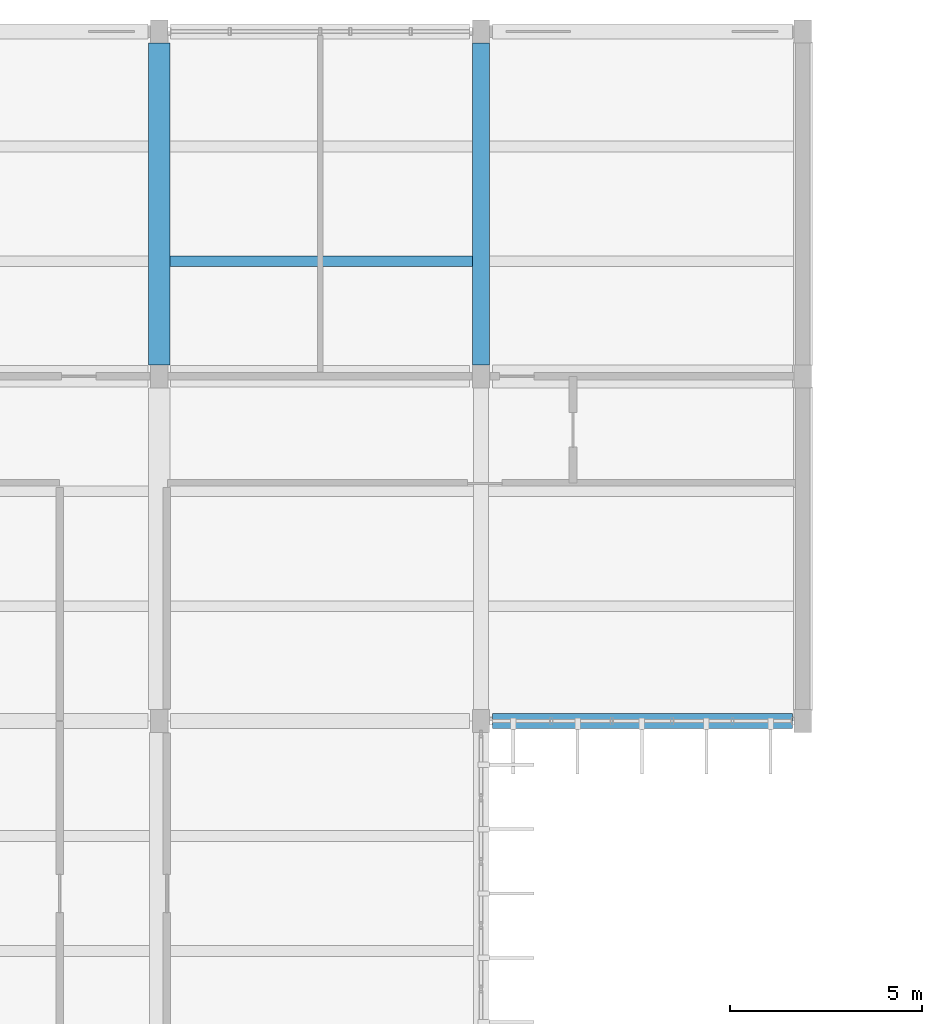
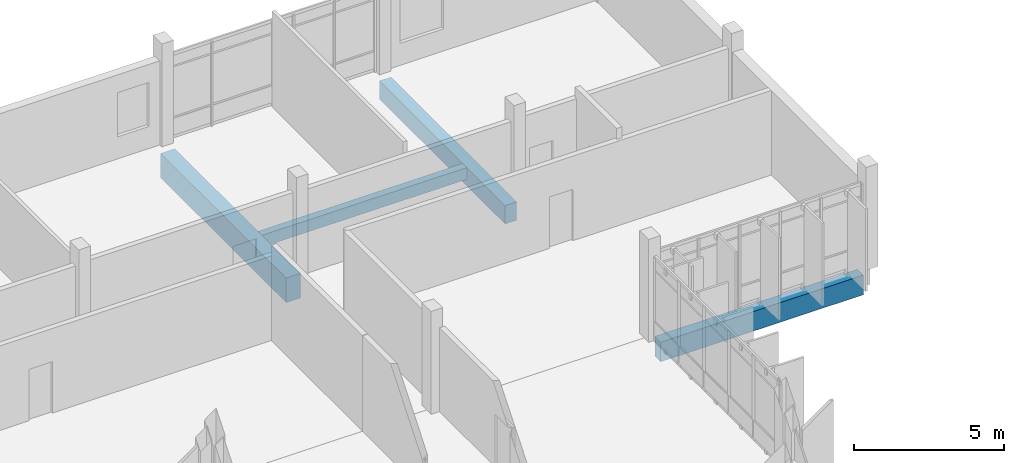
# One storey, part 55 of 107: 4 beams.
"""IFC4 building model written with IfcOpenShell, lengths in metres."""

from ifc_helpers import new_model, si_unit, direction, frame, origin, origin_2d, place, context, subcontext, project, spatial, rectangle, extrude, material, material_profile, profile_set, type_object, element, save


model = new_model("IFC4")

# Units and contexts
model_context = context("Model", 3, precision=1e-05, world=origin(), true_north=direction((0.0, 1.0)))
body_context = subcontext(model_context, "Body", "Model", "MODEL_VIEW")
ifc_project = project(units=[si_unit("LENGTHUNIT", "METRE"), si_unit("AREAUNIT", "SQUARE_METRE"), si_unit("VOLUMEUNIT", "CUBIC_METRE"), si_unit("PLANEANGLEUNIT", "RADIAN"), si_unit("MASSUNIT", "GRAM", prefix="KILO")], contexts=[model_context])

# Site, building, storey
site_placement = place(None, origin())
site = spatial("IfcSite", under=ifc_project, at=site_placement, CompositionType="ELEMENT")
building_placement = place(site_placement, origin())
building = spatial("IfcBuilding", under=site, at=building_placement, Name="Vireocrest Preparatory School", CompositionType="ELEMENT")
storey_placement = place(building_placement, frame((0.0, 0.0, 13.199951171875)))
storey = spatial("IfcBuildingStorey", under=building, at=storey_placement, Name="L03", CompositionType="ELEMENT", Elevation=13.199951171875)

# Beams
ifc_material = material(Name="Concrete 40 MPa", Category="concrete")
ifc_material_profile_1 = material_profile(ifc_material, rectangle(XDim=0.550048828125, YDim=1.0, at=origin_2d()), Name="RC 550x1000")
ifc_profile_set_1 = profile_set([ifc_material_profile_1], Name="Concrete 40 MPa")
beam_type_1 = type_object("IfcBeamType", Name="RC Core Coupling Beam 550x1000", PredefinedType="BEAM", material=ifc_profile_set_1)
beam_1_placement = place(storey_placement, frame((100.800048828125, 104.10009765625, -0.739990234375), z_axis=(0.0, 1.0, 0.0), x_axis=(-1.0, 0.0, 0.0)))
element("IfcBeam", 1, at=beam_1_placement, inside=storey, type_object=beam_type_1, Name="Primary Girder B18 L03-1163", PredefinedType="BEAM", context=body_context, shape_type="SweptSolid", body=[
    extrude(rectangle(XDim=0.550048828125, YDim=1.0, at=origin_2d()), origin(), (0.0, 0.0, 1.0), 8.39990234375),
])
ifc_material_profile_2 = material_profile(ifc_material, rectangle(XDim=0.39990234375, YDim=0.800048828125, at=origin_2d()), Name="RC 400x800")
ifc_profile_set_2 = profile_set([ifc_material_profile_2], Name="Concrete 40 MPa")
beam_type_2 = type_object("IfcBeamType", Name="RC Library Reading Girder 400x800", PredefinedType="BEAM", material=ifc_profile_set_2)
beam_2_placement = place(storey_placement, frame((109.5, 94.800048828125, -0.639892578125), z_axis=(1.0, 0.0, 0.0), x_axis=(0.0, 1.0, 0.0)))
element("IfcBeam", 2, at=beam_2_placement, inside=storey, type_object=beam_type_2, Name="Primary Girder B10 L03-1088", PredefinedType="BEAM", context=body_context, shape_type="SweptSolid", body=[
    extrude(rectangle(XDim=0.39990234375, YDim=0.800048828125, at=origin_2d()), origin(), (0.0, 0.0, 1.0), 7.824951171875),
])
ifc_material_profile_3 = material_profile(ifc_material, rectangle(XDim=0.449951171875, YDim=0.75, at=origin_2d()), Name="RC 450x750")
ifc_profile_set_3 = profile_set([ifc_material_profile_3], Name="Concrete 40 MPa")
beam_type_3 = type_object("IfcBeamType", Name="RC Library Stack Girder 450x750", PredefinedType="BEAM", material=ifc_profile_set_3)
beam_3_placement = place(storey_placement, frame((109.199951171875, 104.10009765625, -0.614990234375), z_axis=(0.0, 1.0, 0.0), x_axis=(-1.0, 0.0, 0.0)))
element("IfcBeam", 3, at=beam_3_placement, inside=storey, type_object=beam_type_3, Name="Primary Girder B11 L03-1174", PredefinedType="BEAM", context=body_context, shape_type="SweptSolid", body=[
    extrude(rectangle(XDim=0.449951171875, YDim=0.75, at=origin_2d()), origin(), (0.0, 0.0, 1.0), 8.39990234375),
])
ifc_material_profile_4 = material_profile(ifc_material, rectangle(XDim=0.280029296875, YDim=0.47998046875, at=origin_2d()), Name="RC 280x480")
ifc_profile_set_4 = profile_set([ifc_material_profile_4], Name="Concrete 40 MPa")
beam_type_4 = type_object("IfcBeamType", Name="RC Secondary Lab Joist 280x480", PredefinedType="JOIST", material=ifc_profile_set_4)
beam_4_placement = place(storey_placement, frame((101.074951171875, 106.800048828125, -0.47998046875), z_axis=(1.0, 0.0, 0.0), x_axis=(0.0, 1.0, 0.0)))
element("IfcBeam", 4, at=beam_4_placement, inside=storey, type_object=beam_type_4, Name="Secondary Joist J02 L03-1275", PredefinedType="JOIST", context=body_context, shape_type="SweptSolid", body=[
    extrude(rectangle(XDim=0.280029296875, YDim=0.47998046875, at=origin_2d()), origin(), (0.0, 0.0, 1.0), 7.900146484375),
])

save(model, "model.ifc")
